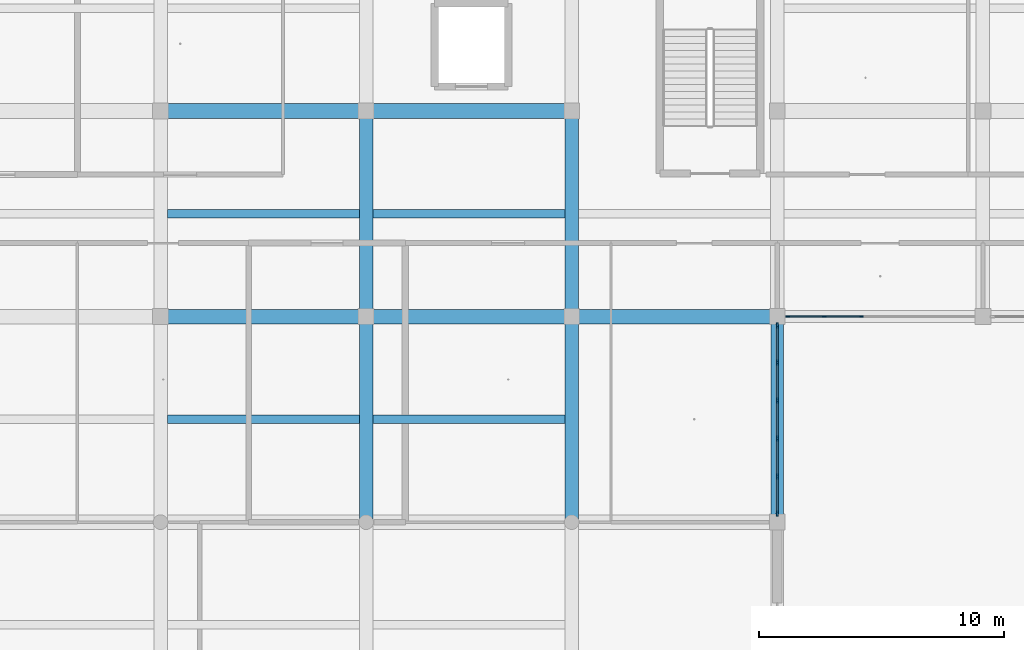
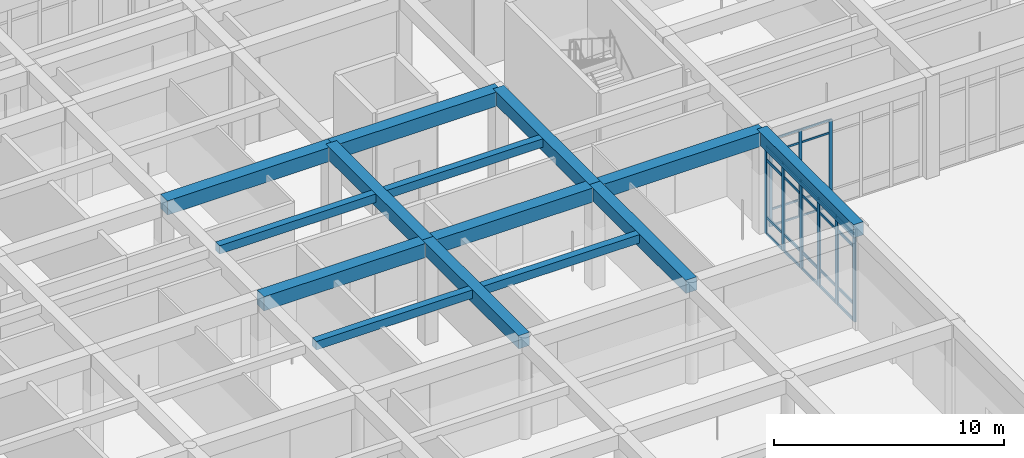
# One storey, part 31 of 167: 37 members, 14 beams, 2 elements without a shape of their own.
"""IFC4 building model written with IfcOpenShell, lengths in metres."""

import ifcopenshell
import ifcopenshell.guid

model = None  # the IFC model being written
_history = None  # IfcOwnerHistory: only IFC2X3 demands one
_inside = {}  # id of a spatial element -> (the spatial element, [elements in it])
_under = {}  # id of a project, library or spatial element -> (it, [spatial elements below it])
_declared = {}  # id of a project -> (the project, [libraries it declares])
_typed = {}  # id of a type object -> (the type object, [elements of that type])
_made_of = {}  # id of a material, layer set ... -> (it, [elements and type objects made of it])


def new_model(schema):
    """Start an empty IFC model of exactly this schema.

    Asked for "IFC4X3", IfcOpenShell would pick the latest addendum, in which some entities
    have other attributes; the version numbers below select the first issue.
    IFC2X3 requires an IfcOwnerHistory on every rooted entity: one is made here for all.
    """
    global model, _history
    if schema == "IFC4X3":
        model = ifcopenshell.file(schema_version=(4, 3, 0, 0))
    else:
        model = ifcopenshell.file(schema=schema)
    _inside.clear()
    _under.clear()
    _declared.clear()
    _typed.clear()
    _made_of.clear()
    _history = None
    if model.schema == "IFC2X3":
        org = make("IfcOrganization", Name="unknown")
        user = make(
            "IfcPersonAndOrganization",
            ThePerson=make("IfcPerson", FamilyName="unknown"),
            TheOrganization=org,
        )
        app = make(
            "IfcApplication",
            ApplicationDeveloper=org,
            Version="unknown",
            ApplicationFullName="unknown",
            ApplicationIdentifier="unknown",
        )
        _history = make(
            "IfcOwnerHistory",
            OwningUser=user,
            OwningApplication=app,
            ChangeAction="ADDED",
            CreationDate=0,
        )
    return model


def make(cls, **values):
    """One entity of the class cls with the attributes given. An attribute that is None is left unset."""
    return model.create_entity(
        cls, **{name: value for name, value in values.items() if value is not None}
    )


def rooted(cls, **values):
    """An entity with a GlobalId (a new one), such as an element, a storey or a relation."""
    return make(cls, GlobalId=ifcopenshell.guid.new(), OwnerHistory=_history, **values)


def si_unit(unit_type, name, prefix=None):
    """IfcSIUnit, for example si_unit("LENGTHUNIT", "METRE", prefix="MILLI")."""
    return make("IfcSIUnit", UnitType=unit_type, Prefix=prefix, Name=name)


def assignment(units):
    """IfcUnitAssignment: the units of a project."""
    return None if units is None else make("IfcUnitAssignment", Units=units)


def point(xyz):
    """IfcCartesianPoint."""
    return None if xyz is None else make("IfcCartesianPoint", Coordinates=xyz)


def direction(xyz):
    """IfcDirection."""
    return None if xyz is None else make("IfcDirection", DirectionRatios=xyz)


def frame(location, z_axis=None, x_axis=None):
    """IfcAxis2Placement3D, a coordinate frame: its origin and axes. An axis left out is left unset."""
    return make(
        "IfcAxis2Placement3D",
        Location=point(location),
        Axis=direction(z_axis),
        RefDirection=direction(x_axis),
    )


def frame_2d(location, x_axis=None):
    """IfcAxis2Placement2D, a coordinate frame in the plane: its origin and x axis."""
    return make(
        "IfcAxis2Placement2D", Location=point(location), RefDirection=direction(x_axis)
    )


def origin():
    """The frame at (0, 0, 0) with its axes left unset."""
    return frame((0.0, 0.0, 0.0))


def origin_2d():
    """The frame at (0, 0) in the plane with its x axis left unset."""
    return frame_2d((0.0, 0.0))


def place(relative_to, where):
    """IfcLocalPlacement: puts the frame where relative to a parent placement (None: the world)."""
    return make(
        "IfcLocalPlacement", PlacementRelTo=relative_to, RelativePlacement=where
    )


def context(
    kind, dimensions, precision=None, world=None, true_north=None, identifier=None
):
    """IfcGeometricRepresentationContext, for example the 3D "Model" context."""
    return make(
        "IfcGeometricRepresentationContext",
        ContextIdentifier=identifier,
        ContextType=kind,
        CoordinateSpaceDimension=dimensions,
        Precision=precision,
        WorldCoordinateSystem=world,
        TrueNorth=true_north,
    )


def subcontext(parent, identifier, kind, view, scale=None):
    """IfcGeometricRepresentationSubContext, for example "Body" below "Model"."""
    return make(
        "IfcGeometricRepresentationSubContext",
        ContextIdentifier=identifier,
        ContextType=kind,
        ParentContext=parent,
        TargetScale=scale,
        TargetView=view,
    )


def project(units=None, contexts=None):
    """IfcProject with its units and contexts."""
    return rooted(
        "IfcProject",
        Name="project",
        RepresentationContexts=contexts,
        UnitsInContext=assignment(units),
    )


def spatial(cls, under=None, at=None, **own):
    """A site, building, storey or space (cls), placed at a placement, below another one or the project."""
    s = rooted(cls, ObjectPlacement=at, **own)
    if under is not None:
        _under.setdefault(under.id(), (under, []))[1].append(s)
    return s


def profile(cls, at=None, kind="AREA", **sizes):
    """A parametric profile (cls). Its sizes go by their IFC names, for example OverallWidth=200.0."""
    return make(cls, ProfileType=kind, Position=at, **sizes)


def rectangle(**sizes):
    """IfcRectangleProfileDef."""
    return profile("IfcRectangleProfileDef", **sizes)


def extrude(swept, where, along, depth):
    """IfcExtrudedAreaSolid: the profile swept, set in the frame where, extruded along a direction by depth."""
    return make(
        "IfcExtrudedAreaSolid",
        SweptArea=swept,
        Position=where,
        ExtrudedDirection=direction(along),
        Depth=depth,
    )


def shape(context_of_items, identifier, shape_type, items):
    """IfcShapeRepresentation: the items that make up one representation, for example the "Body"."""
    return make(
        "IfcShapeRepresentation",
        ContextOfItems=context_of_items,
        RepresentationIdentifier=identifier,
        RepresentationType=shape_type,
        Items=items,
    )


def material(Name=None, Category=None):
    """IfcMaterial."""
    return make("IfcMaterial", Name=Name, Category=Category)


def material_profile(
    of_material, cross_section, Name=None, Category=None, Priority=None
):
    """IfcMaterialProfile: a cross section and its material."""
    return make(
        "IfcMaterialProfile",
        Name=Name,
        Material=of_material,
        Profile=cross_section,
        Priority=Priority,
        Category=Category,
    )


def profile_set(profiles, Name=None, composite=None):
    """IfcMaterialProfileSet."""
    return make(
        "IfcMaterialProfileSet",
        Name=Name,
        MaterialProfiles=profiles,
        CompositeProfile=composite,
    )


def made_of(thing, what):
    """Note that an element or type object is made of a material, layer set ...; save() writes the relation."""
    if what is not None:
        _made_of.setdefault(what.id(), (what, []))[1].append(thing)
    return thing


def type_object(cls, material=None, **own):
    """A type object (cls), such as IfcWallType, which elements share."""
    return made_of(rooted(cls, **own), material)


def element(
    cls,
    number,
    at=None,
    inside=None,
    cuts=None,
    type_object=None,
    material=None,
    context=None,
    identifier="Body",
    shape_type=None,
    held_by="IfcProductDefinitionShape",
    body=None,
    shapes=None,
    **own,
):
    """One element of the class cls, such as IfcWall. Its Tag is "e" and its number.

    at: its placement. inside: the storey or other place that contains it. cuts: it is an
    opening in that element (IfcRelVoidsElement). A single representation is given by context,
    identifier, shape_type and body (its items); several are given by shapes. held_by: the class
    of the entity that holds the representations. save() writes the other relations.
    """
    e = rooted(cls, Tag="e%d" % number, ObjectPlacement=at, **own)
    if body is not None:
        shapes = [shape(context, identifier, shape_type, body)]
    if shapes is not None:
        e.Representation = make(held_by, Representations=shapes)
    if inside is not None:
        _inside.setdefault(inside.id(), (inside, []))[1].append(e)
    if cuts is not None:
        rooted(
            "IfcRelVoidsElement", RelatingBuildingElement=cuts, RelatedOpeningElement=e
        )
    if type_object is not None:
        _typed.setdefault(type_object.id(), (type_object, []))[1].append(e)
    return made_of(e, material)


def aggregate(whole, parts):
    """IfcRelAggregates: a whole, such as a stair, and the parts it consists of."""
    return rooted("IfcRelAggregates", RelatingObject=whole, RelatedObjects=parts)


def save(model, path):
    """Write the relations noted so far, then the file.

    IfcRelAggregates (storeys below a building ...), IfcRelContainedInSpatialStructure (elements
    in a storey), IfcRelDefinesByType, IfcRelAssociatesMaterial and IfcRelDeclares: one each for
    every whole, place, type object, material and project.
    """
    for whole, parts in _under.values():
        aggregate(whole, parts)
    for where, things in _inside.values():
        rooted(
            "IfcRelContainedInSpatialStructure",
            RelatedElements=things,
            RelatingStructure=where,
        )
    for kind, things in _typed.values():
        rooted("IfcRelDefinesByType", RelatedObjects=things, RelatingType=kind)
    for what, things in _made_of.values():
        rooted("IfcRelAssociatesMaterial", RelatedObjects=things, RelatingMaterial=what)
    for by, libraries in _declared.values():
        rooted("IfcRelDeclares", RelatingContext=by, RelatedDefinitions=libraries)
    model.write(path)


model = new_model("IFC4")

# Units and contexts
model_context = context("Model", 3, precision=1e-05, world=origin(), true_north=direction((0.0, 1.0)))
body_context = subcontext(model_context, "Body", "Model", "MODEL_VIEW")
ifc_project = project(units=[si_unit("LENGTHUNIT", "METRE"), si_unit("AREAUNIT", "SQUARE_METRE"), si_unit("VOLUMEUNIT", "CUBIC_METRE"), si_unit("PLANEANGLEUNIT", "RADIAN"), si_unit("MASSUNIT", "GRAM", prefix="KILO")], contexts=[model_context])

# Site, building, storey
site_placement = place(None, origin())
site = spatial("IfcSite", under=ifc_project, at=site_placement, CompositionType="ELEMENT")
building_placement = place(site_placement, origin())
building = spatial("IfcBuilding", under=site, at=building_placement, Name="Varncliffe General Hospital", CompositionType="ELEMENT")
storey_placement = place(building_placement, origin())
storey = spatial("IfcBuildingStorey", under=building, at=storey_placement, Name="L00", CompositionType="ELEMENT", Elevation=0.0)

# Beams
ifc_material_1 = material(Name="Concrete C35/45 (CSA A23.1 35 MPa)", Category="concrete")
ifc_material_profile_1 = material_profile(ifc_material_1, rectangle(XDim=0.60009765625, YDim=0.75, at=origin_2d()), Name="RC 600x750")
ifc_profile_set_1 = profile_set([ifc_material_profile_1], Name="Concrete C35/45 (CSA A23.1 35 MPa)")
beam_type_1 = type_object("IfcBeamType", Name="Beam B23 (Int RC 600x750)", PredefinedType="BEAM", material=ifc_profile_set_1)
beam_1_placement = place(storey_placement, frame((92.39990234375, 82.800048828125, 5.02490234375), z_axis=(1.0, 0.0, 0.0), x_axis=(0.0, 1.0, 0.0)))
element("IfcBeam", 1, at=beam_1_placement, inside=storey, type_object=beam_type_1, Name="L00 Primary Beam B23-123", PredefinedType="BEAM", context=body_context, shape_type="SweptSolid", body=[
    extrude(rectangle(XDim=0.60009765625, YDim=0.75, at=origin_2d()), origin(), (0.0, 0.0, 1.0), 8.400146484375),
])
beam_2_placement = place(storey_placement, frame((100.800048828125, 82.800048828125, 5.02490234375), z_axis=(1.0, 0.0, 0.0), x_axis=(0.0, 1.0, 0.0)))
element("IfcBeam", 2, at=beam_2_placement, inside=storey, type_object=beam_type_1, Name="L00 Primary Beam B23-124", PredefinedType="BEAM", context=body_context, shape_type="SweptSolid", body=[
    extrude(rectangle(XDim=0.60009765625, YDim=0.75, at=origin_2d()), origin(), (0.0, 0.0, 1.0), 8.39990234375),
])
for number, where, z_axis, x_axis, name in (
    (3, (109.199951171875, 82.800048828125, 5.02490234375), (1.0, 0.0, 0.0), (0.0, 1.0, 0.0), "L00 Primary Beam B23-125"),
    (4, (92.39990234375, 91.199951171875, 5.02490234375), (1.0, 0.0, 0.0), (0.0, 1.0, 0.0), "L00 Primary Beam B23-142"),
):
    element("IfcBeam", number, at=place(storey_placement, frame(where, z_axis=z_axis, x_axis=x_axis)), inside=storey, type_object=beam_type_1, Name=name, PredefinedType="BEAM", context=body_context, shape_type="SweptSolid", body=[
        extrude(rectangle(XDim=0.60009765625, YDim=0.75, at=origin_2d()), origin(), (0.0, 0.0, 1.0), 8.400146484375),
    ])
beam_3_placement = place(storey_placement, frame((100.800048828125, 91.199951171875, 5.02490234375), z_axis=(1.0, 0.0, 0.0), x_axis=(0.0, 1.0, 0.0)))
element("IfcBeam", 5, at=beam_3_placement, inside=storey, type_object=beam_type_1, Name="L00 Primary Beam B23-143", PredefinedType="BEAM", context=body_context, shape_type="SweptSolid", body=[
    extrude(rectangle(XDim=0.60009765625, YDim=0.75, at=origin_2d()), origin(), (0.0, 0.0, 1.0), 8.39990234375),
])
ifc_material_profile_2 = material_profile(ifc_material_1, rectangle(XDim=0.550048828125, YDim=0.699951171875, at=origin_2d()), Name="RC 550x700")
ifc_profile_set_2 = profile_set([ifc_material_profile_2], Name="Concrete C35/45 (CSA A23.1 35 MPa)")
beam_type_2 = type_object("IfcBeamType", Name="Beam B35 (Int RC 550x700)", PredefinedType="BEAM", material=ifc_profile_set_2)
beam_4_placement = place(storey_placement, frame((100.800048828125, 74.39990234375, 5.050048828125), z_axis=(0.0, 1.0, 0.0), x_axis=(-1.0, 0.0, 0.0)))
element("IfcBeam", 6, at=beam_4_placement, inside=storey, type_object=beam_type_2, Name="L00 Primary Beam B35-401", PredefinedType="BEAM", context=body_context, shape_type="SweptSolid", body=[
    extrude(rectangle(XDim=0.550048828125, YDim=0.699951171875, at=origin_2d()), origin(), (0.0, 0.0, 1.0), 8.400146484375),
])
beam_5_placement = place(storey_placement, frame((100.800048828125, 82.800048828125, 5.050048828125), z_axis=(0.0, 1.0, 0.0), x_axis=(-1.0, 0.0, 0.0)))
element("IfcBeam", 7, at=beam_5_placement, inside=storey, type_object=beam_type_2, Name="L00 Primary Beam B35-402", PredefinedType="BEAM", context=body_context, shape_type="SweptSolid", body=[
    extrude(rectangle(XDim=0.550048828125, YDim=0.699951171875, at=origin_2d()), origin(), (0.0, 0.0, 1.0), 8.39990234375),
])
beam_6_placement = place(storey_placement, frame((109.199951171875, 74.39990234375, 5.050048828125), z_axis=(0.0, 1.0, 0.0), x_axis=(-1.0, 0.0, 0.0)))
element("IfcBeam", 8, at=beam_6_placement, inside=storey, type_object=beam_type_2, Name="L00 Primary Beam B35-408", PredefinedType="BEAM", context=body_context, shape_type="SweptSolid", body=[
    extrude(rectangle(XDim=0.550048828125, YDim=0.699951171875, at=origin_2d()), origin(), (0.0, 0.0, 1.0), 8.400146484375),
])
beam_7_placement = place(storey_placement, frame((109.199951171875, 82.800048828125, 5.050048828125), z_axis=(0.0, 1.0, 0.0), x_axis=(-1.0, 0.0, 0.0)))
element("IfcBeam", 9, at=beam_7_placement, inside=storey, type_object=beam_type_2, Name="L00 Primary Beam B35-409", PredefinedType="BEAM", context=body_context, shape_type="SweptSolid", body=[
    extrude(rectangle(XDim=0.550048828125, YDim=0.699951171875, at=origin_2d()), origin(), (0.0, 0.0, 1.0), 8.39990234375),
])

# Curtain wall, members
ifc_material_2 = material(Name="Triple low-E argon insulated vision glazing", Category="glass")
curtain_wall_type_1 = type_object("IfcCurtainWallType", Name="Unitised Glazed Curtain Wall CW26 (7594x4640)", PredefinedType="USERDEFINED", material=ifc_material_2)
curtain_wall_1_placement = place(storey_placement, origin())
curtain_wall_1 = element("IfcCurtainWall", 10, at=curtain_wall_1_placement, inside=storey, type_object=curtain_wall_type_1, Name="L00 Glazed Curtain Wall CW26-35", ObjectType="GLAZED CURTAIN WALL", PredefinedType="USERDEFINED")
ifc_material_3 = material(Name="Dark bronze thermally broken aluminium framing", Category="aluminium")
ifc_material_profile_3 = material_profile(ifc_material_3, rectangle(XDim=0.06494140625, YDim=0.159912109375, at=origin_2d()), Name="ALU 65x160")
ifc_profile_set_3 = profile_set([ifc_material_profile_3], Name="Dark bronze thermally broken aluminium framing")
member_type_1 = type_object("IfcMemberType", Name="Curtain Wall Mullion CM65 (ALU 65x160)", PredefinedType="MULLION", material=ifc_profile_set_3)
member_1_placement = place(storey_placement, frame((121.04052734375, 82.800048828125, 0.0), z_axis=(0.0, 0.0, 1.0), x_axis=(0.0, -1.0, 0.0)))
member_1 = element("IfcMember", 11, at=member_1_placement, type_object=member_type_1, Name="CW26 mullion 4", PredefinedType="MULLION", context=body_context, shape_type="SweptSolid", body=[
    extrude(rectangle(XDim=0.06494140625, YDim=0.159912109375, at=origin_2d()), origin(), (0.0, 0.0, 1.0), 4.639892578125),
])
member_2_placement = place(storey_placement, frame((119.521728515625, 82.800048828125, 0.0), z_axis=(0.0, 0.0, 1.0), x_axis=(0.0, -1.0, 0.0)))
member_2 = element("IfcMember", 12, at=member_2_placement, type_object=member_type_1, Name="CW26 mullion 5", PredefinedType="MULLION", context=body_context, shape_type="SweptSolid", body=[
    extrude(rectangle(XDim=0.06494140625, YDim=0.159912109375, at=origin_2d()), origin(), (0.0, 0.0, 1.0), 4.639892578125),
])
member_3_placement = place(storey_placement, frame((118.035400390625, 82.800048828125, 0.0), z_axis=(0.0, 0.0, 1.0), x_axis=(0.0, -1.0, 0.0)))
member_3 = element("IfcMember", 13, at=member_3_placement, type_object=member_type_1, Name="CW26 mullion 6", PredefinedType="MULLION", context=body_context, shape_type="SweptSolid", body=[
    extrude(rectangle(XDim=0.06494140625, YDim=0.159912109375, at=origin_2d()), origin(), (0.0, 0.0, 1.0), 4.639892578125),
])

curtain_wall_type_2 = type_object("IfcCurtainWallType", Name="Unitised Glazed Curtain Wall CW66 (7754x4640)", PredefinedType="USERDEFINED", material=ifc_material_2)
curtain_wall_2_placement = place(storey_placement, origin())
curtain_wall_2 = element("IfcCurtainWall", 14, at=curtain_wall_2_placement, inside=storey, type_object=curtain_wall_type_2, Name="L00 Glazed Curtain Wall CW66-36", ObjectType="GLAZED CURTAIN WALL", PredefinedType="USERDEFINED")
ifc_material_profile_4 = material_profile(ifc_material_3, rectangle(XDim=0.074951171875, YDim=0.219970703125, at=origin_2d()), Name="ALU 75x220")
ifc_profile_set_4 = profile_set([ifc_material_profile_4], Name="Dark bronze thermally broken aluminium framing")
member_type_2 = type_object("IfcMemberType", Name="Curtain Wall Mullion CM74 (ALU 75x220)", PredefinedType="MULLION", material=ifc_profile_set_4)
member_4_placement = place(storey_placement, frame((117.60009765625, 82.439453125, 0.0), z_axis=(0.0, 0.0, 1.0), x_axis=(1.0, 0.0, 0.0)))
member_4 = element("IfcMember", 15, at=member_4_placement, type_object=member_type_2, Name="CW66 mullion 1", PredefinedType="MULLION", context=body_context, shape_type="SweptSolid", body=[
    extrude(rectangle(XDim=0.074951171875, YDim=0.219970703125, at=origin_2d()), origin(), (0.0, 0.0, 1.0), 4.639892578125),
])
member_5_placement = place(storey_placement, frame((117.60009765625, 80.92626953125, 0.0), z_axis=(0.0, 0.0, 1.0), x_axis=(1.0, 0.0, 0.0)))
member_5 = element("IfcMember", 16, at=member_5_placement, type_object=member_type_2, Name="CW66 mullion 2", PredefinedType="MULLION", context=body_context, shape_type="SweptSolid", body=[
    extrude(rectangle(XDim=0.074951171875, YDim=0.219970703125, at=origin_2d()), origin(), (0.0, 0.0, 1.0), 4.639892578125),
])
member_6_placement = place(storey_placement, frame((117.60009765625, 79.37548828125, 0.0), z_axis=(0.0, 0.0, 1.0), x_axis=(1.0, 0.0, 0.0)))
member_6 = element("IfcMember", 17, at=member_6_placement, type_object=member_type_2, Name="CW66 mullion 3", PredefinedType="MULLION", context=body_context, shape_type="SweptSolid", body=[
    extrude(rectangle(XDim=0.074951171875, YDim=0.219970703125, at=origin_2d()), origin(), (0.0, 0.0, 1.0), 4.639892578125),
])
member_7_placement = place(storey_placement, frame((117.60009765625, 77.82470703125, 0.0), z_axis=(0.0, 0.0, 1.0), x_axis=(1.0, 0.0, 0.0)))
member_7 = element("IfcMember", 18, at=member_7_placement, type_object=member_type_2, Name="CW66 mullion 4", PredefinedType="MULLION", context=body_context, shape_type="SweptSolid", body=[
    extrude(rectangle(XDim=0.074951171875, YDim=0.219970703125, at=origin_2d()), origin(), (0.0, 0.0, 1.0), 4.639892578125),
])
member_8_placement = place(storey_placement, frame((117.60009765625, 76.273681640625, 0.0), z_axis=(0.0, 0.0, 1.0), x_axis=(1.0, 0.0, 0.0)))
member_8 = element("IfcMember", 19, at=member_8_placement, type_object=member_type_2, Name="CW66 mullion 5", PredefinedType="MULLION", context=body_context, shape_type="SweptSolid", body=[
    extrude(rectangle(XDim=0.074951171875, YDim=0.219970703125, at=origin_2d()), origin(), (0.0, 0.0, 1.0), 4.639892578125),
])
member_9_placement = place(storey_placement, frame((117.60009765625, 74.760498046875, 0.0), z_axis=(0.0, 0.0, 1.0), x_axis=(1.0, 0.0, 0.0)))
member_9 = element("IfcMember", 20, at=member_9_placement, type_object=member_type_2, Name="CW66 mullion 6", PredefinedType="MULLION", context=body_context, shape_type="SweptSolid", body=[
    extrude(rectangle(XDim=0.074951171875, YDim=0.219970703125, at=origin_2d()), origin(), (0.0, 0.0, 1.0), 4.639892578125),
])

# Member
ifc_material_profile_5 = material_profile(ifc_material_3, rectangle(XDim=0.06005859375, YDim=0.10009765625, at=origin_2d()), Name="ALU 60x100")
ifc_profile_set_5 = profile_set([ifc_material_profile_5], Name="Dark bronze thermally broken aluminium framing")
member_type_3 = type_object("IfcMemberType", Name="Curtain Wall Transom CT18 (ALU 60x100)", PredefinedType="USERDEFINED", material=ifc_profile_set_5)
member_10_placement = place(storey_placement, frame((121.008056640625, 82.800048828125, 0.030029296875), z_axis=(-1.0, 0.0, 0.0), x_axis=(0.0, -1.0, 0.0)))
member_10 = element("IfcMember", 21, at=member_10_placement, type_object=member_type_3, Name="CW26 transom 4.1", ObjectType="TRANSOM", PredefinedType="USERDEFINED", context=body_context, shape_type="SweptSolid", body=[
    extrude(rectangle(XDim=0.06005859375, YDim=0.10009765625, at=origin_2d()), origin(), (0.0, 0.0, 1.0), 1.453857421875),
])

member_11_placement = place(storey_placement, frame((121.008056640625, 82.800048828125, 0.89990234375), z_axis=(-1.0, 0.0, 0.0), x_axis=(0.0, -1.0, 0.0)))
member_11 = element("IfcMember", 22, at=member_11_placement, type_object=member_type_3, Name="CW26 transom 4.2", ObjectType="TRANSOM", PredefinedType="USERDEFINED", context=body_context, shape_type="SweptSolid", body=[
    extrude(rectangle(XDim=0.06005859375, YDim=0.10009765625, at=origin_2d()), origin(), (0.0, 0.0, 1.0), 1.453857421875),
])

member_12_placement = place(storey_placement, frame((121.008056640625, 82.800048828125, 3.93994140625), z_axis=(-1.0, 0.0, 0.0), x_axis=(0.0, -1.0, 0.0)))
member_12 = element("IfcMember", 23, at=member_12_placement, type_object=member_type_3, Name="CW26 transom 4.3", ObjectType="TRANSOM", PredefinedType="USERDEFINED", context=body_context, shape_type="SweptSolid", body=[
    extrude(rectangle(XDim=0.06005859375, YDim=0.10009765625, at=origin_2d()), origin(), (0.0, 0.0, 1.0), 1.453857421875),
])

member_13_placement = place(storey_placement, frame((121.008056640625, 82.800048828125, 4.610107421875), z_axis=(-1.0, 0.0, 0.0), x_axis=(0.0, -1.0, 0.0)))
member_13 = element("IfcMember", 24, at=member_13_placement, type_object=member_type_3, Name="CW26 transom 4.4", ObjectType="TRANSOM", PredefinedType="USERDEFINED", context=body_context, shape_type="SweptSolid", body=[
    extrude(rectangle(XDim=0.06005859375, YDim=0.10009765625, at=origin_2d()), origin(), (0.0, 0.0, 1.0), 1.453857421875),
])

member_14_placement = place(storey_placement, frame((119.4892578125, 82.800048828125, 0.030029296875), z_axis=(-1.0, 0.0, 0.0), x_axis=(0.0, -1.0, 0.0)))
member_14 = element("IfcMember", 25, at=member_14_placement, type_object=member_type_3, Name="CW26 transom 5.1", ObjectType="TRANSOM", PredefinedType="USERDEFINED", context=body_context, shape_type="SweptSolid", body=[
    extrude(rectangle(XDim=0.06005859375, YDim=0.10009765625, at=origin_2d()), origin(), (0.0, 0.0, 1.0), 1.421142578125),
])

member_15_placement = place(storey_placement, frame((119.4892578125, 82.800048828125, 0.89990234375), z_axis=(-1.0, 0.0, 0.0), x_axis=(0.0, -1.0, 0.0)))
member_15 = element("IfcMember", 26, at=member_15_placement, type_object=member_type_3, Name="CW26 transom 5.2", ObjectType="TRANSOM", PredefinedType="USERDEFINED", context=body_context, shape_type="SweptSolid", body=[
    extrude(rectangle(XDim=0.06005859375, YDim=0.10009765625, at=origin_2d()), origin(), (0.0, 0.0, 1.0), 1.421142578125),
])

member_16_placement = place(storey_placement, frame((119.4892578125, 82.800048828125, 3.93994140625), z_axis=(-1.0, 0.0, 0.0), x_axis=(0.0, -1.0, 0.0)))
member_16 = element("IfcMember", 27, at=member_16_placement, type_object=member_type_3, Name="CW26 transom 5.3", ObjectType="TRANSOM", PredefinedType="USERDEFINED", context=body_context, shape_type="SweptSolid", body=[
    extrude(rectangle(XDim=0.06005859375, YDim=0.10009765625, at=origin_2d()), origin(), (0.0, 0.0, 1.0), 1.421142578125),
])

member_17_placement = place(storey_placement, frame((119.4892578125, 82.800048828125, 4.610107421875), z_axis=(-1.0, 0.0, 0.0), x_axis=(0.0, -1.0, 0.0)))
member_17 = element("IfcMember", 28, at=member_17_placement, type_object=member_type_3, Name="CW26 transom 5.4", ObjectType="TRANSOM", PredefinedType="USERDEFINED", context=body_context, shape_type="SweptSolid", body=[
    extrude(rectangle(XDim=0.06005859375, YDim=0.10009765625, at=origin_2d()), origin(), (0.0, 0.0, 1.0), 1.421142578125),
])

aggregate(curtain_wall_1, [member_1, member_2, member_3, member_10, member_11, member_12, member_13, member_14, member_15, member_16, member_17])

ifc_material_profile_6 = material_profile(ifc_material_3, rectangle(XDim=0.06494140625, YDim=0.139892578125, at=origin_2d()), Name="ALU 65x140")
ifc_profile_set_6 = profile_set([ifc_material_profile_6], Name="Dark bronze thermally broken aluminium framing")
member_type_4 = type_object("IfcMemberType", Name="Curtain Wall Transom CT69 (ALU 65x140)", PredefinedType="USERDEFINED", material=ifc_profile_set_6)
member_18_placement = place(storey_placement, frame((117.60009765625, 82.402099609375, 0.032470703125), z_axis=(0.0, -1.0, 0.0), x_axis=(1.0, 0.0, 0.0)))
member_18 = element("IfcMember", 29, at=member_18_placement, type_object=member_type_4, Name="CW66 transom 1.1", ObjectType="TRANSOM", PredefinedType="USERDEFINED", context=body_context, shape_type="SweptSolid", body=[
    extrude(rectangle(XDim=0.06494140625, YDim=0.139892578125, at=origin_2d()), origin(), (0.0, 0.0, 1.0), 1.4384765625),
])

member_19_placement = place(storey_placement, frame((117.60009765625, 82.402099609375, 0.89990234375), z_axis=(0.0, -1.0, 0.0), x_axis=(1.0, 0.0, 0.0)))
member_19 = element("IfcMember", 30, at=member_19_placement, type_object=member_type_4, Name="CW66 transom 1.2", ObjectType="TRANSOM", PredefinedType="USERDEFINED", context=body_context, shape_type="SweptSolid", body=[
    extrude(rectangle(XDim=0.06494140625, YDim=0.139892578125, at=origin_2d()), origin(), (0.0, 0.0, 1.0), 1.4384765625),
])

member_20_placement = place(storey_placement, frame((117.60009765625, 82.402099609375, 3.93994140625), z_axis=(0.0, -1.0, 0.0), x_axis=(1.0, 0.0, 0.0)))
member_20 = element("IfcMember", 31, at=member_20_placement, type_object=member_type_4, Name="CW66 transom 1.3", ObjectType="TRANSOM", PredefinedType="USERDEFINED", context=body_context, shape_type="SweptSolid", body=[
    extrude(rectangle(XDim=0.06494140625, YDim=0.139892578125, at=origin_2d()), origin(), (0.0, 0.0, 1.0), 1.4384765625),
])

member_21_placement = place(storey_placement, frame((117.60009765625, 82.402099609375, 4.607421875), z_axis=(0.0, -1.0, 0.0), x_axis=(1.0, 0.0, 0.0)))
member_21 = element("IfcMember", 32, at=member_21_placement, type_object=member_type_4, Name="CW66 transom 1.4", ObjectType="TRANSOM", PredefinedType="USERDEFINED", context=body_context, shape_type="SweptSolid", body=[
    extrude(rectangle(XDim=0.06494140625, YDim=0.139892578125, at=origin_2d()), origin(), (0.0, 0.0, 1.0), 1.4384765625),
])

member_22_placement = place(storey_placement, frame((117.60009765625, 80.888671875, 0.032470703125), z_axis=(0.0, -1.0, 0.0), x_axis=(1.0, 0.0, 0.0)))
member_22 = element("IfcMember", 33, at=member_22_placement, type_object=member_type_4, Name="CW66 transom 2.1", ObjectType="TRANSOM", PredefinedType="USERDEFINED", context=body_context, shape_type="SweptSolid", body=[
    extrude(rectangle(XDim=0.06494140625, YDim=0.139892578125, at=origin_2d()), origin(), (0.0, 0.0, 1.0), 1.475830078125),
])

member_23_placement = place(storey_placement, frame((117.60009765625, 80.888671875, 0.89990234375), z_axis=(0.0, -1.0, 0.0), x_axis=(1.0, 0.0, 0.0)))
member_23 = element("IfcMember", 34, at=member_23_placement, type_object=member_type_4, Name="CW66 transom 2.2", ObjectType="TRANSOM", PredefinedType="USERDEFINED", context=body_context, shape_type="SweptSolid", body=[
    extrude(rectangle(XDim=0.06494140625, YDim=0.139892578125, at=origin_2d()), origin(), (0.0, 0.0, 1.0), 1.475830078125),
])

member_24_placement = place(storey_placement, frame((117.60009765625, 80.888671875, 3.93994140625), z_axis=(0.0, -1.0, 0.0), x_axis=(1.0, 0.0, 0.0)))
member_24 = element("IfcMember", 35, at=member_24_placement, type_object=member_type_4, Name="CW66 transom 2.3", ObjectType="TRANSOM", PredefinedType="USERDEFINED", context=body_context, shape_type="SweptSolid", body=[
    extrude(rectangle(XDim=0.06494140625, YDim=0.139892578125, at=origin_2d()), origin(), (0.0, 0.0, 1.0), 1.475830078125),
])

member_25_placement = place(storey_placement, frame((117.60009765625, 80.888671875, 4.607421875), z_axis=(0.0, -1.0, 0.0), x_axis=(1.0, 0.0, 0.0)))
member_25 = element("IfcMember", 36, at=member_25_placement, type_object=member_type_4, Name="CW66 transom 2.4", ObjectType="TRANSOM", PredefinedType="USERDEFINED", context=body_context, shape_type="SweptSolid", body=[
    extrude(rectangle(XDim=0.06494140625, YDim=0.139892578125, at=origin_2d()), origin(), (0.0, 0.0, 1.0), 1.475830078125),
])

member_26_placement = place(storey_placement, frame((117.60009765625, 79.337890625, 0.032470703125), z_axis=(0.0, -1.0, 0.0), x_axis=(1.0, 0.0, 0.0)))
member_26 = element("IfcMember", 37, at=member_26_placement, type_object=member_type_4, Name="CW66 transom 3.1", ObjectType="TRANSOM", PredefinedType="USERDEFINED", context=body_context, shape_type="SweptSolid", body=[
    extrude(rectangle(XDim=0.06494140625, YDim=0.139892578125, at=origin_2d()), origin(), (0.0, 0.0, 1.0), 1.475830078125),
])

member_27_placement = place(storey_placement, frame((117.60009765625, 79.337890625, 0.89990234375), z_axis=(0.0, -1.0, 0.0), x_axis=(1.0, 0.0, 0.0)))
member_27 = element("IfcMember", 38, at=member_27_placement, type_object=member_type_4, Name="CW66 transom 3.2", ObjectType="TRANSOM", PredefinedType="USERDEFINED", context=body_context, shape_type="SweptSolid", body=[
    extrude(rectangle(XDim=0.06494140625, YDim=0.139892578125, at=origin_2d()), origin(), (0.0, 0.0, 1.0), 1.475830078125),
])

member_28_placement = place(storey_placement, frame((117.60009765625, 79.337890625, 3.93994140625), z_axis=(0.0, -1.0, 0.0), x_axis=(1.0, 0.0, 0.0)))
member_28 = element("IfcMember", 39, at=member_28_placement, type_object=member_type_4, Name="CW66 transom 3.3", ObjectType="TRANSOM", PredefinedType="USERDEFINED", context=body_context, shape_type="SweptSolid", body=[
    extrude(rectangle(XDim=0.06494140625, YDim=0.139892578125, at=origin_2d()), origin(), (0.0, 0.0, 1.0), 1.475830078125),
])

member_29_placement = place(storey_placement, frame((117.60009765625, 79.337890625, 4.607421875), z_axis=(0.0, -1.0, 0.0), x_axis=(1.0, 0.0, 0.0)))
member_29 = element("IfcMember", 40, at=member_29_placement, type_object=member_type_4, Name="CW66 transom 3.4", ObjectType="TRANSOM", PredefinedType="USERDEFINED", context=body_context, shape_type="SweptSolid", body=[
    extrude(rectangle(XDim=0.06494140625, YDim=0.139892578125, at=origin_2d()), origin(), (0.0, 0.0, 1.0), 1.475830078125),
])

member_30_placement = place(storey_placement, frame((117.60009765625, 77.787109375, 0.032470703125), z_axis=(0.0, -1.0, 0.0), x_axis=(1.0, 0.0, 0.0)))
member_30 = element("IfcMember", 41, at=member_30_placement, type_object=member_type_4, Name="CW66 transom 4.1", ObjectType="TRANSOM", PredefinedType="USERDEFINED", context=body_context, shape_type="SweptSolid", body=[
    extrude(rectangle(XDim=0.06494140625, YDim=0.139892578125, at=origin_2d()), origin(), (0.0, 0.0, 1.0), 1.475830078125),
])

member_31_placement = place(storey_placement, frame((117.60009765625, 77.787109375, 0.89990234375), z_axis=(0.0, -1.0, 0.0), x_axis=(1.0, 0.0, 0.0)))
member_31 = element("IfcMember", 42, at=member_31_placement, type_object=member_type_4, Name="CW66 transom 4.2", ObjectType="TRANSOM", PredefinedType="USERDEFINED", context=body_context, shape_type="SweptSolid", body=[
    extrude(rectangle(XDim=0.06494140625, YDim=0.139892578125, at=origin_2d()), origin(), (0.0, 0.0, 1.0), 1.475830078125),
])

member_32_placement = place(storey_placement, frame((117.60009765625, 77.787109375, 3.93994140625), z_axis=(0.0, -1.0, 0.0), x_axis=(1.0, 0.0, 0.0)))
member_32 = element("IfcMember", 43, at=member_32_placement, type_object=member_type_4, Name="CW66 transom 4.3", ObjectType="TRANSOM", PredefinedType="USERDEFINED", context=body_context, shape_type="SweptSolid", body=[
    extrude(rectangle(XDim=0.06494140625, YDim=0.139892578125, at=origin_2d()), origin(), (0.0, 0.0, 1.0), 1.475830078125),
])

member_33_placement = place(storey_placement, frame((117.60009765625, 77.787109375, 4.607421875), z_axis=(0.0, -1.0, 0.0), x_axis=(1.0, 0.0, 0.0)))
member_33 = element("IfcMember", 44, at=member_33_placement, type_object=member_type_4, Name="CW66 transom 4.4", ObjectType="TRANSOM", PredefinedType="USERDEFINED", context=body_context, shape_type="SweptSolid", body=[
    extrude(rectangle(XDim=0.06494140625, YDim=0.139892578125, at=origin_2d()), origin(), (0.0, 0.0, 1.0), 1.475830078125),
])

member_34_placement = place(storey_placement, frame((117.60009765625, 76.236328125, 0.032470703125), z_axis=(0.0, -1.0, 0.0), x_axis=(1.0, 0.0, 0.0)))
member_34 = element("IfcMember", 45, at=member_34_placement, type_object=member_type_4, Name="CW66 transom 5.1", ObjectType="TRANSOM", PredefinedType="USERDEFINED", context=body_context, shape_type="SweptSolid", body=[
    extrude(rectangle(XDim=0.06494140625, YDim=0.139892578125, at=origin_2d()), origin(), (0.0, 0.0, 1.0), 1.438232421875),
])

member_35_placement = place(storey_placement, frame((117.60009765625, 76.236328125, 0.89990234375), z_axis=(0.0, -1.0, 0.0), x_axis=(1.0, 0.0, 0.0)))
member_35 = element("IfcMember", 46, at=member_35_placement, type_object=member_type_4, Name="CW66 transom 5.2", ObjectType="TRANSOM", PredefinedType="USERDEFINED", context=body_context, shape_type="SweptSolid", body=[
    extrude(rectangle(XDim=0.06494140625, YDim=0.139892578125, at=origin_2d()), origin(), (0.0, 0.0, 1.0), 1.438232421875),
])

member_36_placement = place(storey_placement, frame((117.60009765625, 76.236328125, 3.93994140625), z_axis=(0.0, -1.0, 0.0), x_axis=(1.0, 0.0, 0.0)))
member_36 = element("IfcMember", 47, at=member_36_placement, type_object=member_type_4, Name="CW66 transom 5.3", ObjectType="TRANSOM", PredefinedType="USERDEFINED", context=body_context, shape_type="SweptSolid", body=[
    extrude(rectangle(XDim=0.06494140625, YDim=0.139892578125, at=origin_2d()), origin(), (0.0, 0.0, 1.0), 1.438232421875),
])

member_37_placement = place(storey_placement, frame((117.60009765625, 76.236328125, 4.607421875), z_axis=(0.0, -1.0, 0.0), x_axis=(1.0, 0.0, 0.0)))
member_37 = element("IfcMember", 48, at=member_37_placement, type_object=member_type_4, Name="CW66 transom 5.4", ObjectType="TRANSOM", PredefinedType="USERDEFINED", context=body_context, shape_type="SweptSolid", body=[
    extrude(rectangle(XDim=0.06494140625, YDim=0.139892578125, at=origin_2d()), origin(), (0.0, 0.0, 1.0), 1.438232421875),
])

aggregate(curtain_wall_2, [member_4, member_5, member_6, member_7, member_8, member_9, member_18, member_19, member_20, member_21, member_22, member_23, member_24, member_25, member_26, member_27, member_28, member_29, member_30, member_31, member_32, member_33, member_34, member_35, member_36, member_37])

# Beams
ifc_material_profile_7 = material_profile(ifc_material_1, rectangle(XDim=0.35009765625, YDim=0.449951171875, at=origin_2d()), Name="RC 350x450")
ifc_profile_set_7 = profile_set([ifc_material_profile_7], Name="Concrete C35/45 (CSA A23.1 35 MPa)")
beam_type_3 = type_object("IfcBeamType", Name="Joist J55 (Int RC 350x450)", PredefinedType="JOIST", material=ifc_profile_set_7)
for number, where, z_axis, x_axis, name in (
    (49, (92.673095703125, 78.60009765625, 5.175048828125), (1.0, 0.0, 0.0), (0.0, 1.0, 0.0), "L00 Secondary Floor Rib J55-48"),
    (50, (92.673095703125, 87.0, 5.175048828125), (1.0, 0.0, 0.0), (0.0, 1.0, 0.0), "L00 Secondary Floor Rib J55-49"),
    (51, (101.072998046875, 78.60009765625, 5.175048828125), (1.0, 0.0, 0.0), (0.0, 1.0, 0.0), "L00 Secondary Floor Rib J55-54"),
    (52, (101.072998046875, 87.0, 5.175048828125), (1.0, 0.0, 0.0), (0.0, 1.0, 0.0), "L00 Secondary Floor Rib J55-55"),
):
    element("IfcBeam", number, at=place(storey_placement, frame(where, z_axis=z_axis, x_axis=x_axis)), inside=storey, type_object=beam_type_3, Name=name, PredefinedType="JOIST", context=body_context, shape_type="SweptSolid", body=[
        extrude(rectangle(XDim=0.35009765625, YDim=0.449951171875, at=origin_2d()), origin(), (0.0, 0.0, 1.0), 7.85400390625),
    ])
ifc_material_profile_8 = material_profile(ifc_material_1, rectangle(XDim=0.5, YDim=0.699951171875, at=origin_2d()), Name="RC 500x700")
ifc_profile_set_8 = profile_set([ifc_material_profile_8], Name="Concrete C35/45 (CSA A23.1 35 MPa)")
beam_type_4 = type_object("IfcBeamType", Name="Spandrel SP19 (Ext RC 500x700)", PredefinedType="SPANDREL", material=ifc_profile_set_8)
beam_8_placement = place(storey_placement, frame((117.60009765625, 74.39990234375, 5.050048828125), z_axis=(0.0, 1.0, 0.0), x_axis=(-1.0, 0.0, 0.0)))
element("IfcBeam", 53, at=beam_8_placement, inside=storey, type_object=beam_type_4, Name="L00 Spandrel Beam SP19-424", PredefinedType="SPANDREL", context=body_context, shape_type="SweptSolid", body=[
    extrude(rectangle(XDim=0.5, YDim=0.699951171875, at=origin_2d()), origin(), (0.0, 0.0, 1.0), 8.400146484375),
])

save(model, "model.ifc")
